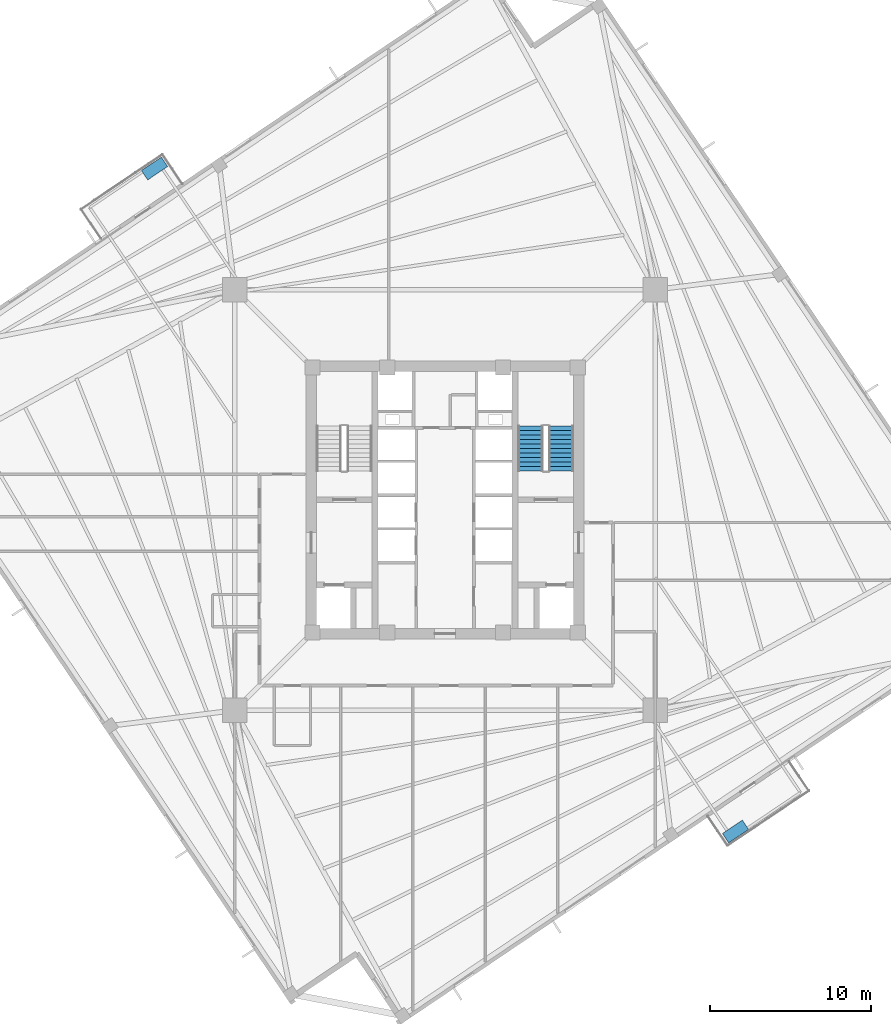
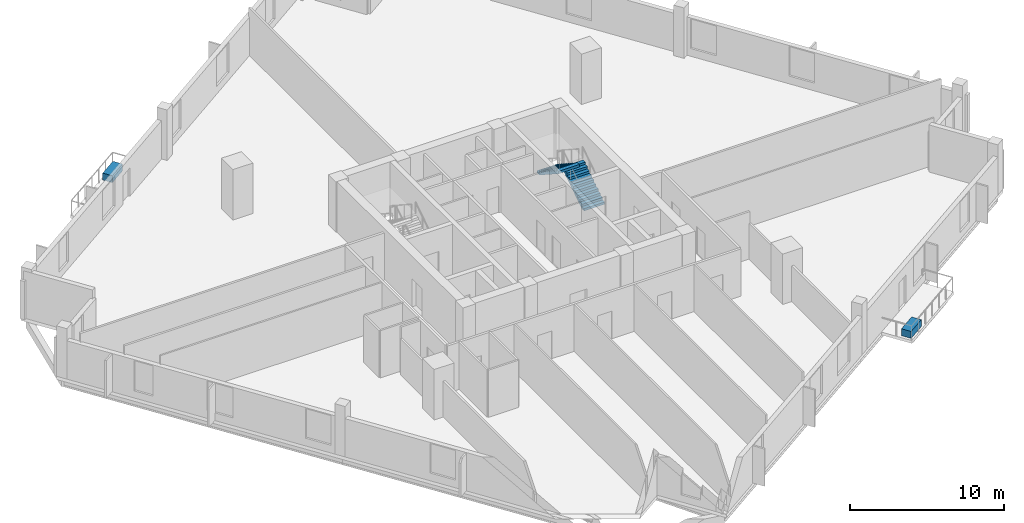
# One storey, part 6 of 9: 2 discrete accessories, 2 stair flights, 1 element without a shape of its own.
"""IFC4 building model written with IfcOpenShell, lengths in metres."""

from ifc_helpers import new_model, si_unit, direction, frame, origin, origin_2d, place, context, subcontext, project, spatial, polyline, rectangle, outline, extrude, source, transform, mapped, material, type_object, element, aggregate, save


model = new_model("IFC4")

# Units and contexts
model_context = context("Model", 3, precision=1e-05, world=origin(), true_north=direction((0.0, 1.0)))
body_context = subcontext(model_context, "Body", "Model", "MODEL_VIEW")
ifc_project = project(units=[si_unit("LENGTHUNIT", "METRE"), si_unit("AREAUNIT", "SQUARE_METRE"), si_unit("VOLUMEUNIT", "CUBIC_METRE"), si_unit("PLANEANGLEUNIT", "RADIAN"), si_unit("MASSUNIT", "GRAM", prefix="KILO"), si_unit("THERMODYNAMICTEMPERATUREUNIT", "KELVIN")], contexts=[model_context])

# Site, building, storey
site_placement = place(None, origin())
site = spatial("IfcSite", under=ifc_project, at=site_placement, CompositionType="ELEMENT")
building_placement = place(site_placement, origin())
building = spatial("IfcBuilding", under=site, at=building_placement, Name="Kosmvard Interchange Tower", CompositionType="ELEMENT")
storey_placement = place(building_placement, frame((0.0, 0.0, 160.39990234375)))
storey = spatial("IfcBuildingStorey", under=building, at=storey_placement, Name="L38", CompositionType="ELEMENT", Elevation=160.39990234375)

# Stair, stair flights
ifc_material_1 = material(Name="Concrete C50/60", Category="concrete")
stair_type = type_object("IfcStairType", Name="Dog-Leg Core Exit Stair H4000 C50/60", PredefinedType="HALF_TURN_STAIR", material=ifc_material_1)
stair_placement = place(storey_placement, origin())
stair = element("IfcStair", 1, at=stair_placement, inside=storey, type_object=stair_type, Name="L38 Protected Exit Stair ST-2", PredefinedType="HALF_TURN_STAIR")
stair_flight_type = type_object("IfcStairFlightType", Name="Core Stair Flight W1550 H4000 C50/60", PredefinedType="STRAIGHT", material=ifc_material_1)
shared_shape_1 = source(origin(), body_context, "Body", "SweptSolid", [
    extrude(outline(polyline([(0.0, 0.0), (0.0, 0.181884765625), (0.280029296875, 0.181884765625), (0.280029296875, 0.363525390625), (0.56005859375, 0.363525390625), (0.56005859375, 0.54541015625), (0.840087890625, 0.54541015625), (0.840087890625, 0.727294921875), (1.1201171875, 0.727294921875), (1.1201171875, 0.9091796875), (1.39990234375, 0.9091796875), (1.39990234375, 1.0908203125), (1.679931640625, 1.0908203125), (1.679931640625, 1.272705078125), (1.9599609375, 1.272705078125), (1.9599609375, 1.45458984375), (2.239990234375, 1.45458984375), (2.239990234375, 1.636474609375), (2.52001953125, 1.636474609375), (2.52001953125, 1.818115234375), (2.800048828125, 1.818115234375), (2.800048828125, 2.0), (2.800048828125, 1.62744140625), (0.293701171875, 0.0), (0.0, 0.0)])), frame((0.0, 0.77490234375, 0.0), z_axis=(0.0, -1.0, 0.0), x_axis=(1.0, 0.0, 0.0)), (0.0, 0.0, 1.0), 1.550048828125),
])
stair_flight_1_placement = place(storey_placement, frame((7.22509765625, 1.800048828125, 0.0), z_axis=(0.0, 0.0, 1.0), x_axis=(0.0, 1.0, 0.0)))
stair_flight_1 = element("IfcStairFlight", 2, at=stair_flight_1_placement, type_object=stair_flight_type, Name="ST-2 flight 1", NumberOfRisers=11, NumberOfTreads=10, PredefinedType="STRAIGHT", RiserHeight=0.181818182, TreadLength=0.28, context=body_context, shape_type="MappedRepresentation", body=[
    mapped(shared_shape_1, transform((0.0, 0.0, 0.0), scale=1.0)),
])
stair_flight_2_placement = place(storey_placement, frame((5.31494140625, 4.60009765625, 2.0), z_axis=(0.0, 0.0, 1.0), x_axis=(0.0, -1.0, 0.0)))
stair_flight_2 = element("IfcStairFlight", 3, at=stair_flight_2_placement, type_object=stair_flight_type, Name="ST-2 flight 2", NumberOfRisers=11, NumberOfTreads=10, PredefinedType="STRAIGHT", RiserHeight=0.181818182, TreadLength=0.28, context=body_context, shape_type="MappedRepresentation", body=[
    mapped(shared_shape_1, transform((0.0, 0.0, 0.0), scale=1.0)),
])
aggregate(stair, [stair_flight_1, stair_flight_2])

# Discrete accessories
ifc_material_2 = material(Name="Terracotta precast planter concrete C45/55", Category="masonry")
discrete_accessory_type = type_object("IfcDiscreteAccessoryType", Name="Precast Tree-Balcony & Terrace Planter Box", PredefinedType="USERDEFINED", material=ifc_material_2)
shared_shape_2 = source(origin(), body_context, "Body", "SweptSolid", [
    extrude(rectangle(XDim=1.5, YDim=0.699951171875, at=origin_2d()), origin(), (0.0, 0.0, 1.0), 0.550048828125),
])
for number, where, z_axis, x_axis, name in (
    (4, (18.0703125, -20.62060546875, 0.0), (0.0, 0.0, 1.0), (0.829037572555, 0.559192903471, 0.0), "L38 Balcony Tree Planter BAL-L38-SW"),
    (5, (-18.0703125, 20.62060546875, 0.0), (0.0, 0.0, 1.0), (0.829037572555, 0.559192903471, 0.0), "L38 Balcony Tree Planter BAL-L38-NE"),
):
    element("IfcDiscreteAccessory", number, at=place(storey_placement, frame(where, z_axis=z_axis, x_axis=x_axis)), inside=storey, type_object=discrete_accessory_type, Name=name, ObjectType="PLANTER", PredefinedType="USERDEFINED", context=body_context, shape_type="MappedRepresentation", body=[
        mapped(shared_shape_2, transform((0.0, 0.0, 0.0), scale=1.0)),
    ])

save(model, "model.ifc")
